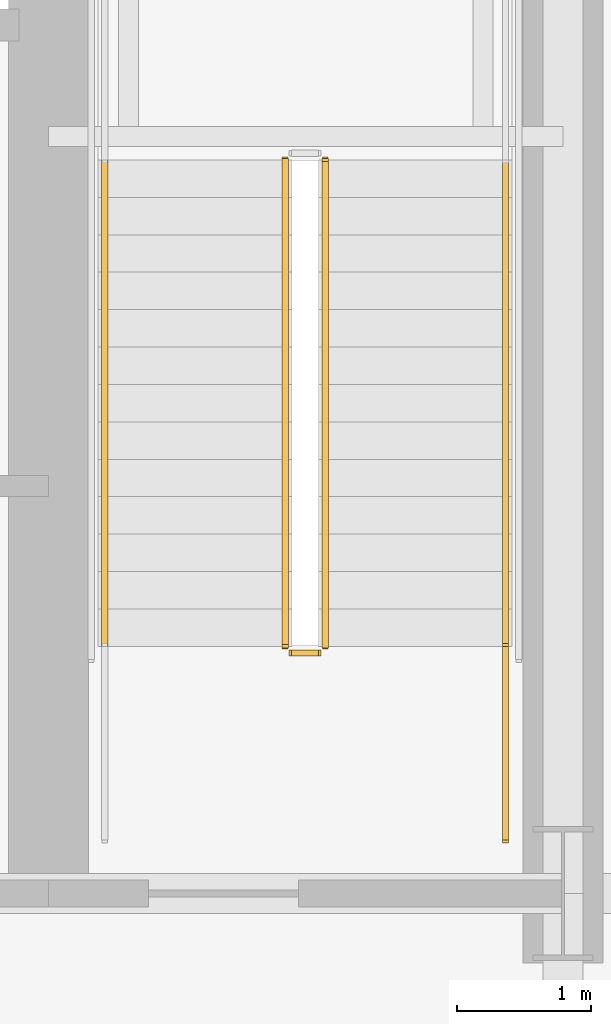
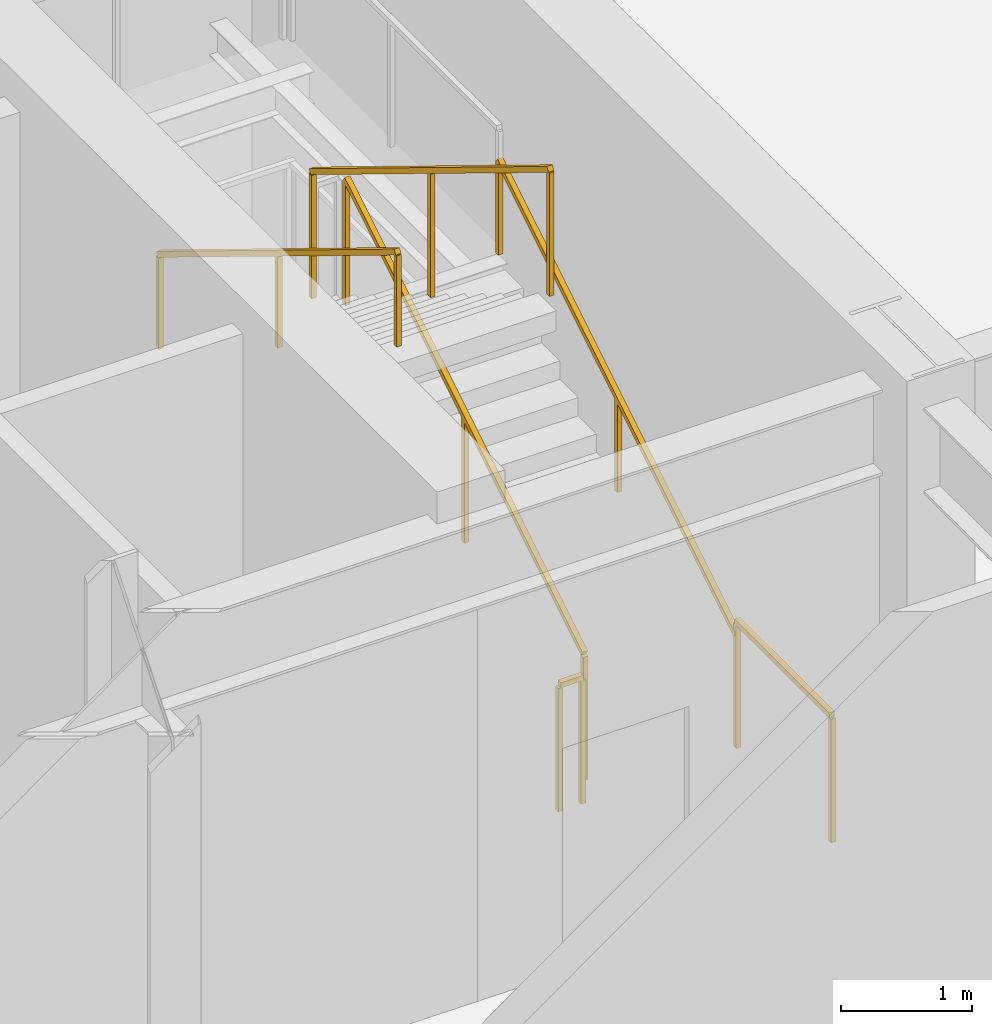
# One storey, part 24 of 30: 6 railings.
"""IFC4 building model written with IfcOpenShell, lengths in metres."""

import ifcopenshell
import ifcopenshell.guid

model = None  # the IFC model being written
_history = None  # IfcOwnerHistory: only IFC2X3 demands one
_inside = {}  # id of a spatial element -> (the spatial element, [elements in it])
_under = {}  # id of a project, library or spatial element -> (it, [spatial elements below it])
_declared = {}  # id of a project -> (the project, [libraries it declares])
_typed = {}  # id of a type object -> (the type object, [elements of that type])
_made_of = {}  # id of a material, layer set ... -> (it, [elements and type objects made of it])


def new_model(schema):
    """Start an empty IFC model of exactly this schema.

    Asked for "IFC4X3", IfcOpenShell would pick the latest addendum, in which some entities
    have other attributes; the version numbers below select the first issue.
    IFC2X3 requires an IfcOwnerHistory on every rooted entity: one is made here for all.
    """
    global model, _history
    if schema == "IFC4X3":
        model = ifcopenshell.file(schema_version=(4, 3, 0, 0))
    else:
        model = ifcopenshell.file(schema=schema)
    _inside.clear()
    _under.clear()
    _declared.clear()
    _typed.clear()
    _made_of.clear()
    _history = None
    if model.schema == "IFC2X3":
        org = make("IfcOrganization", Name="unknown")
        user = make(
            "IfcPersonAndOrganization",
            ThePerson=make("IfcPerson", FamilyName="unknown"),
            TheOrganization=org,
        )
        app = make(
            "IfcApplication",
            ApplicationDeveloper=org,
            Version="unknown",
            ApplicationFullName="unknown",
            ApplicationIdentifier="unknown",
        )
        _history = make(
            "IfcOwnerHistory",
            OwningUser=user,
            OwningApplication=app,
            ChangeAction="ADDED",
            CreationDate=0,
        )
    return model


def make(cls, **values):
    """One entity of the class cls with the attributes given. An attribute that is None is left unset."""
    return model.create_entity(
        cls, **{name: value for name, value in values.items() if value is not None}
    )


def rooted(cls, **values):
    """An entity with a GlobalId (a new one), such as an element, a storey or a relation."""
    return make(cls, GlobalId=ifcopenshell.guid.new(), OwnerHistory=_history, **values)


def si_unit(unit_type, name, prefix=None):
    """IfcSIUnit, for example si_unit("LENGTHUNIT", "METRE", prefix="MILLI")."""
    return make("IfcSIUnit", UnitType=unit_type, Prefix=prefix, Name=name)


def assignment(units):
    """IfcUnitAssignment: the units of a project."""
    return None if units is None else make("IfcUnitAssignment", Units=units)


def point(xyz):
    """IfcCartesianPoint."""
    return None if xyz is None else make("IfcCartesianPoint", Coordinates=xyz)


def direction(xyz):
    """IfcDirection."""
    return None if xyz is None else make("IfcDirection", DirectionRatios=xyz)


def frame(location, z_axis=None, x_axis=None):
    """IfcAxis2Placement3D, a coordinate frame: its origin and axes. An axis left out is left unset."""
    return make(
        "IfcAxis2Placement3D",
        Location=point(location),
        Axis=direction(z_axis),
        RefDirection=direction(x_axis),
    )


def frame_2d(location, x_axis=None):
    """IfcAxis2Placement2D, a coordinate frame in the plane: its origin and x axis."""
    return make(
        "IfcAxis2Placement2D", Location=point(location), RefDirection=direction(x_axis)
    )


def origin():
    """The frame at (0, 0, 0) with its axes left unset."""
    return frame((0.0, 0.0, 0.0))


def origin_2d():
    """The frame at (0, 0) in the plane with its x axis left unset."""
    return frame_2d((0.0, 0.0))


def place(relative_to, where):
    """IfcLocalPlacement: puts the frame where relative to a parent placement (None: the world)."""
    return make(
        "IfcLocalPlacement", PlacementRelTo=relative_to, RelativePlacement=where
    )


def context(
    kind, dimensions, precision=None, world=None, true_north=None, identifier=None
):
    """IfcGeometricRepresentationContext, for example the 3D "Model" context."""
    return make(
        "IfcGeometricRepresentationContext",
        ContextIdentifier=identifier,
        ContextType=kind,
        CoordinateSpaceDimension=dimensions,
        Precision=precision,
        WorldCoordinateSystem=world,
        TrueNorth=true_north,
    )


def subcontext(parent, identifier, kind, view, scale=None):
    """IfcGeometricRepresentationSubContext, for example "Body" below "Model"."""
    return make(
        "IfcGeometricRepresentationSubContext",
        ContextIdentifier=identifier,
        ContextType=kind,
        ParentContext=parent,
        TargetScale=scale,
        TargetView=view,
    )


def project(units=None, contexts=None):
    """IfcProject with its units and contexts."""
    return rooted(
        "IfcProject",
        Name="project",
        RepresentationContexts=contexts,
        UnitsInContext=assignment(units),
    )


def spatial(cls, under=None, at=None, **own):
    """A site, building, storey or space (cls), placed at a placement, below another one or the project."""
    s = rooted(cls, ObjectPlacement=at, **own)
    if under is not None:
        _under.setdefault(under.id(), (under, []))[1].append(s)
    return s


def profile(cls, at=None, kind="AREA", **sizes):
    """A parametric profile (cls). Its sizes go by their IFC names, for example OverallWidth=200.0."""
    return make(cls, ProfileType=kind, Position=at, **sizes)


def rectangle(**sizes):
    """IfcRectangleProfileDef."""
    return profile("IfcRectangleProfileDef", **sizes)


def extrude(swept, where, along, depth):
    """IfcExtrudedAreaSolid: the profile swept, set in the frame where, extruded along a direction by depth."""
    return make(
        "IfcExtrudedAreaSolid",
        SweptArea=swept,
        Position=where,
        ExtrudedDirection=direction(along),
        Depth=depth,
    )


def shape(context_of_items, identifier, shape_type, items):
    """IfcShapeRepresentation: the items that make up one representation, for example the "Body"."""
    return make(
        "IfcShapeRepresentation",
        ContextOfItems=context_of_items,
        RepresentationIdentifier=identifier,
        RepresentationType=shape_type,
        Items=items,
    )


def material(Name=None, Category=None):
    """IfcMaterial."""
    return make("IfcMaterial", Name=Name, Category=Category)


def made_of(thing, what):
    """Note that an element or type object is made of a material, layer set ...; save() writes the relation."""
    if what is not None:
        _made_of.setdefault(what.id(), (what, []))[1].append(thing)
    return thing


def type_object(cls, material=None, **own):
    """A type object (cls), such as IfcWallType, which elements share."""
    return made_of(rooted(cls, **own), material)


def element(
    cls,
    number,
    at=None,
    inside=None,
    cuts=None,
    type_object=None,
    material=None,
    context=None,
    identifier="Body",
    shape_type=None,
    held_by="IfcProductDefinitionShape",
    body=None,
    shapes=None,
    **own,
):
    """One element of the class cls, such as IfcWall. Its Tag is "e" and its number.

    at: its placement. inside: the storey or other place that contains it. cuts: it is an
    opening in that element (IfcRelVoidsElement). A single representation is given by context,
    identifier, shape_type and body (its items); several are given by shapes. held_by: the class
    of the entity that holds the representations. save() writes the other relations.
    """
    e = rooted(cls, Tag="e%d" % number, ObjectPlacement=at, **own)
    if body is not None:
        shapes = [shape(context, identifier, shape_type, body)]
    if shapes is not None:
        e.Representation = make(held_by, Representations=shapes)
    if inside is not None:
        _inside.setdefault(inside.id(), (inside, []))[1].append(e)
    if cuts is not None:
        rooted(
            "IfcRelVoidsElement", RelatingBuildingElement=cuts, RelatedOpeningElement=e
        )
    if type_object is not None:
        _typed.setdefault(type_object.id(), (type_object, []))[1].append(e)
    return made_of(e, material)


def aggregate(whole, parts):
    """IfcRelAggregates: a whole, such as a stair, and the parts it consists of."""
    return rooted("IfcRelAggregates", RelatingObject=whole, RelatedObjects=parts)


def save(model, path):
    """Write the relations noted so far, then the file.

    IfcRelAggregates (storeys below a building ...), IfcRelContainedInSpatialStructure (elements
    in a storey), IfcRelDefinesByType, IfcRelAssociatesMaterial and IfcRelDeclares: one each for
    every whole, place, type object, material and project.
    """
    for whole, parts in _under.values():
        aggregate(whole, parts)
    for where, things in _inside.values():
        rooted(
            "IfcRelContainedInSpatialStructure",
            RelatedElements=things,
            RelatingStructure=where,
        )
    for kind, things in _typed.values():
        rooted("IfcRelDefinesByType", RelatedObjects=things, RelatingType=kind)
    for what, things in _made_of.values():
        rooted("IfcRelAssociatesMaterial", RelatedObjects=things, RelatingMaterial=what)
    for by, libraries in _declared.values():
        rooted("IfcRelDeclares", RelatingContext=by, RelatedDefinitions=libraries)
    model.write(path)


model = new_model("IFC4")

# Units and contexts
model_context = context("Model", 3, precision=1e-05, world=origin(), true_north=direction((0.0, 1.0)))
body_context = subcontext(model_context, "Body", "Model", "MODEL_VIEW")
ifc_project = project(units=[si_unit("LENGTHUNIT", "METRE"), si_unit("AREAUNIT", "SQUARE_METRE"), si_unit("VOLUMEUNIT", "CUBIC_METRE"), si_unit("PLANEANGLEUNIT", "RADIAN"), si_unit("MASSUNIT", "GRAM", prefix="KILO")], contexts=[model_context])

# Site, building, storey
site_placement = place(None, origin())
site = spatial("IfcSite", under=ifc_project, at=site_placement, CompositionType="ELEMENT")
building_placement = place(site_placement, origin())
building = spatial("IfcBuilding", under=site, at=building_placement, Name="Haevon Station Towers", CompositionType="ELEMENT")
storey_placement = place(building_placement, frame((0.0, 0.0, 15.60009765625)))
storey = spatial("IfcBuildingStorey", under=building, at=storey_placement, Name="L03", CompositionType="ELEMENT", Elevation=15.60009765625)

# Railings
ifc_material = material(Name="Steel S355", Category="steel")
railing_type_1 = type_object("IfcRailingType", Name="GRD-STR1200", PredefinedType="GUARDRAIL", material=ifc_material)
railing_1_placement = place(storey_placement, frame((49.219970703125, 40.050048828125, 0.17138671875)))
element("IfcRailing", 1, at=railing_1_placement, inside=storey, type_object=railing_type_1, Name="L03 ST2 Stair Guard 1", PredefinedType="GUARDRAIL", context=body_context, shape_type="SweptSolid", body=[
    extrude(rectangle(XDim=0.048095703125, YDim=0.048095703125, at=origin_2d()), frame((0.0, 0.0, 1.17578125), z_axis=(0.0, 0.852850264322, 0.5221555579), x_axis=(-1.0, 0.0, 0.0)), (0.0, 0.0, 1.0), 4.267822265625),
    extrude(rectangle(XDim=0.0419921875, YDim=0.0419921875, at=origin_2d()), origin(), (0.0, 0.0, 1.0), 1.15185546875),
    extrude(rectangle(XDim=0.0419921875, YDim=0.0419921875, at=origin_2d()), frame((0.0, 1.81982421875, 1.1142578125)), (0.0, 0.0, 1.0), 1.15185546875),
    extrude(rectangle(XDim=0.0419921875, YDim=0.0419921875, at=origin_2d()), frame((0.0, 3.639892578125, 2.228515625)), (0.0, 0.0, 1.0), 1.15185546875),
])
railing_2_placement = place(storey_placement, frame((48.919921875, 43.68994140625, 2.5712890625)))
element("IfcRailing", 2, at=railing_2_placement, inside=storey, type_object=railing_type_1, Name="L03 ST2 Stair Guard 6", PredefinedType="GUARDRAIL", context=body_context, shape_type="SweptSolid", body=[
    extrude(rectangle(XDim=0.048095703125, YDim=0.048095703125, at=origin_2d()), frame((0.0, 0.0, 1.17578125), z_axis=(0.0, -0.852850264322, 0.5221555579), x_axis=(1.0, 0.0, 0.0)), (0.0, 0.0, 1.0), 4.267822265625),
    extrude(rectangle(XDim=0.0419921875, YDim=0.0419921875, at=origin_2d()), origin(), (0.0, 0.0, 1.0), 1.15185546875),
    extrude(rectangle(XDim=0.0419921875, YDim=0.0419921875, at=origin_2d()), frame((0.0, -1.81982421875, 1.1142578125)), (0.0, 0.0, 1.0), 1.15185546875),
    extrude(rectangle(XDim=0.0419921875, YDim=0.0419921875, at=origin_2d()), frame((0.0, -3.639892578125, 2.228515625)), (0.0, 0.0, 1.0), 1.15185546875),
])
railing_3_placement = place(storey_placement, frame((49.169921875, 40.0, 0.0)))
element("IfcRailing", 3, at=railing_3_placement, inside=storey, type_object=railing_type_1, Name="L03 ST2 Stair Guard 7", PredefinedType="GUARDRAIL", context=body_context, shape_type="SweptSolid", body=[
    extrude(rectangle(XDim=0.048095703125, YDim=0.048095703125, at=origin_2d()), frame((0.0, 0.0, 1.17578125), z_axis=(-1.0, 0.0, 0.0), x_axis=(0.0, -1.0, 0.0)), (0.0, 0.0, 1.0), 0.199951171875),
    extrude(rectangle(XDim=0.0419921875, YDim=0.0419921875, at=origin_2d()), origin(), (0.0, 0.0, 1.0), 1.15185546875),
    extrude(rectangle(XDim=0.0419921875, YDim=0.0419921875, at=origin_2d()), frame((-0.199951171875, 0.0, 0.0)), (0.0, 0.0, 1.0), 1.15185546875),
])
railing_4_placement = place(storey_placement, frame((50.570068359375, 38.60009765625, 0.0)))
element("IfcRailing", 4, at=railing_4_placement, inside=storey, type_object=railing_type_1, Name="L03 ST2 Stair Guard 8", PredefinedType="GUARDRAIL", context=body_context, shape_type="SweptSolid", body=[
    extrude(rectangle(XDim=0.048095703125, YDim=0.048095703125, at=origin_2d()), frame((0.0, 0.0, 1.17578125), z_axis=(0.0, 1.0, 0.0), x_axis=(-1.0, 0.0, 0.0)), (0.0, 0.0, 1.0), 1.449951171875),
    extrude(rectangle(XDim=0.0419921875, YDim=0.0419921875, at=origin_2d()), origin(), (0.0, 0.0, 1.0), 1.15185546875),
    extrude(rectangle(XDim=0.0419921875, YDim=0.0419921875, at=origin_2d()), frame((0.0, 1.449951171875, 0.0)), (0.0, 0.0, 1.0), 1.15185546875),
])
railing_type_2 = type_object("IfcRailingType", Name="HND-STR900", PredefinedType="HANDRAIL", material=ifc_material)
railing_5_placement = place(storey_placement, frame((50.570068359375, 40.050048828125, 0.17138671875)))
element("IfcRailing", 5, at=railing_5_placement, inside=storey, type_object=railing_type_2, Name="L03 ST2 Stair Handrail 1", PredefinedType="HANDRAIL", context=body_context, shape_type="SweptSolid", body=[
    extrude(rectangle(XDim=0.048095703125, YDim=0.048095703125, at=origin_2d()), frame((0.0, 0.0, 0.8759765625), z_axis=(0.0, 0.852850264322, 0.5221555579), x_axis=(-1.0, 0.0, 0.0)), (0.0, 0.0, 1.0), 4.267822265625),
    extrude(rectangle(XDim=0.0419921875, YDim=0.0419921875, at=origin_2d()), origin(), (0.0, 0.0, 1.0), 0.851806640625),
    extrude(rectangle(XDim=0.0419921875, YDim=0.0419921875, at=origin_2d()), frame((0.0, 1.81982421875, 1.1142578125)), (0.0, 0.0, 1.0), 0.851806640625),
    extrude(rectangle(XDim=0.0419921875, YDim=0.0419921875, at=origin_2d()), frame((0.0, 3.639892578125, 2.228515625)), (0.0, 0.0, 1.0), 0.851806640625),
])
railing_6_placement = place(storey_placement, frame((47.570068359375, 43.68994140625, 2.5712890625)))
element("IfcRailing", 6, at=railing_6_placement, inside=storey, type_object=railing_type_2, Name="L03 ST2 Stair Handrail 2", PredefinedType="HANDRAIL", context=body_context, shape_type="SweptSolid", body=[
    extrude(rectangle(XDim=0.048095703125, YDim=0.048095703125, at=origin_2d()), frame((0.0, 0.0, 0.8759765625), z_axis=(0.0, -0.852850264322, 0.5221555579), x_axis=(1.0, 0.0, 0.0)), (0.0, 0.0, 1.0), 4.267822265625),
    extrude(rectangle(XDim=0.0419921875, YDim=0.0419921875, at=origin_2d()), origin(), (0.0, 0.0, 1.0), 0.851806640625),
    extrude(rectangle(XDim=0.0419921875, YDim=0.0419921875, at=origin_2d()), frame((0.0, -1.81982421875, 1.1142578125)), (0.0, 0.0, 1.0), 0.851806640625),
    extrude(rectangle(XDim=0.0419921875, YDim=0.0419921875, at=origin_2d()), frame((0.0, -3.639892578125, 2.228515625)), (0.0, 0.0, 1.0), 0.851806640625),
])

save(model, "model.ifc")
